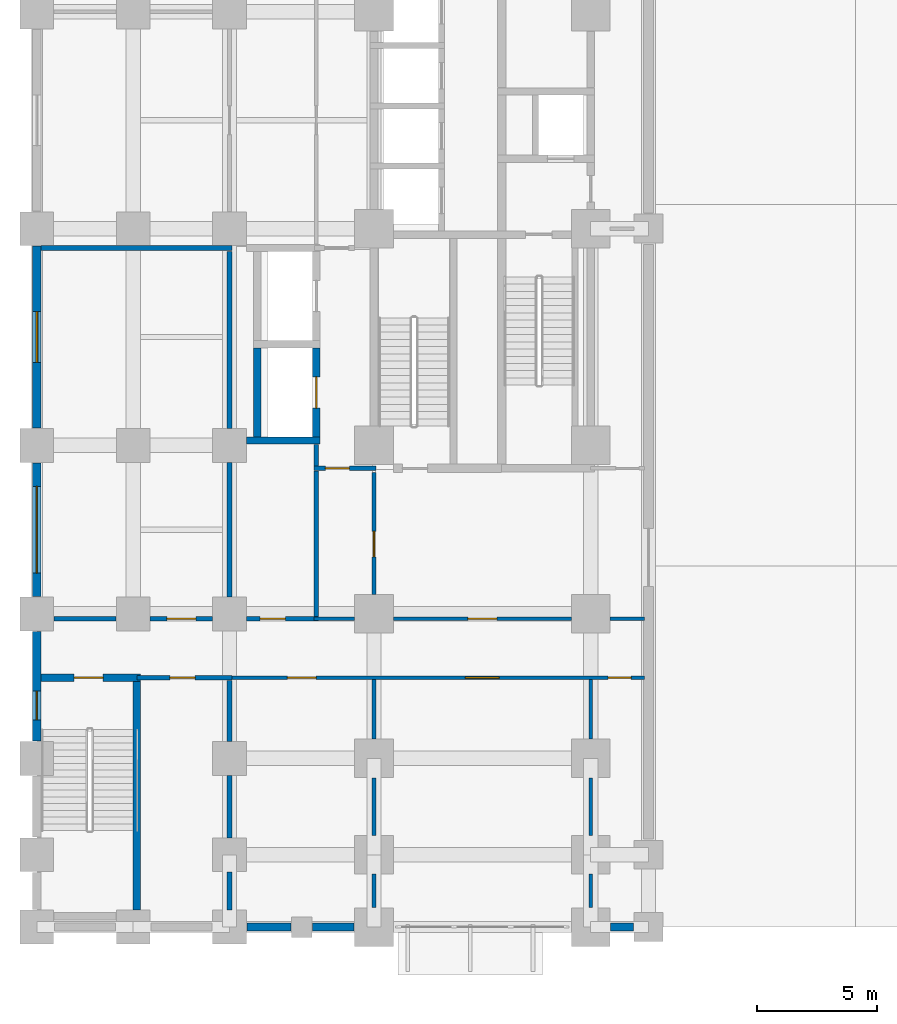
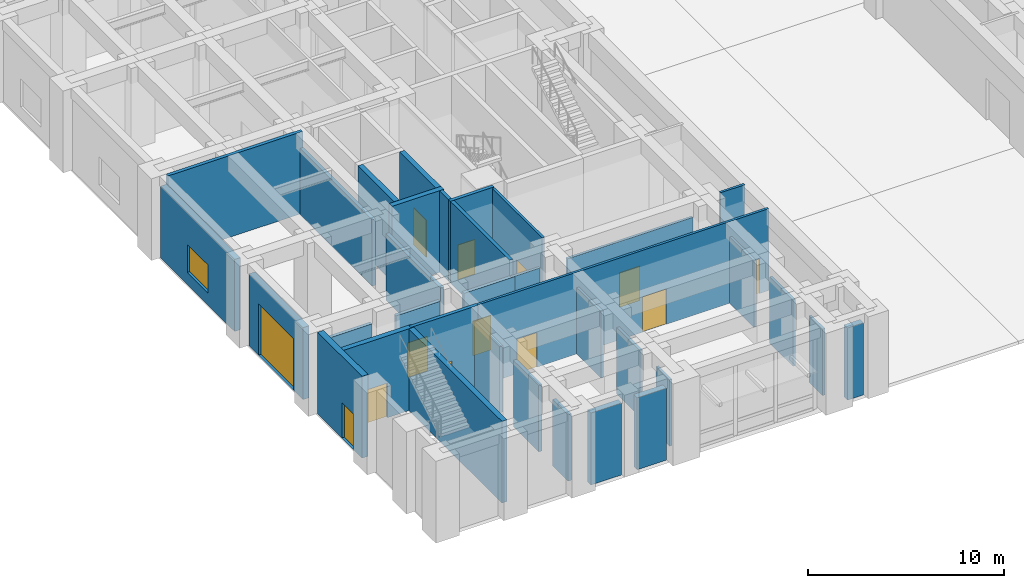
# One storey, part 6 of 20: 35 walls, 13 doors, 1 window, 14 openings.
"""IFC4 building model written with IfcOpenShell, lengths in metres."""

from ifc_helpers import new_model, si_unit, direction, frame, frame_2d, origin, place, context, subcontext, project, spatial, rectangle, extrude, material, layer, layer_set, type_object, element, fill, save


model = new_model("IFC4")

# Units and contexts
model_context = context("Model", 3, precision=1e-05, world=origin(), true_north=direction((0.0, 1.0)))
body_context = subcontext(model_context, "Body", "Model", "MODEL_VIEW")
ifc_project = project(units=[si_unit("LENGTHUNIT", "METRE"), si_unit("AREAUNIT", "SQUARE_METRE"), si_unit("VOLUMEUNIT", "CUBIC_METRE"), si_unit("PLANEANGLEUNIT", "RADIAN"), si_unit("MASSUNIT", "GRAM", prefix="KILO")], contexts=[model_context])

# Site, building, storey
site_placement = place(None, origin())
site = spatial("IfcSite", under=ifc_project, at=site_placement, CompositionType="ELEMENT")
building_placement = place(site_placement, origin())
building = spatial("IfcBuilding", under=site, at=building_placement, Name="Zulmaris Gate Convention Tower", CompositionType="ELEMENT")
storey_placement = place(building_placement, origin())
storey = spatial("IfcBuildingStorey", under=building, at=storey_placement, Name="L00", CompositionType="ELEMENT", Elevation=0.0)

# Wall, opening, door
ifc_material_1 = material(Name="Concrete C50/60", Category="concrete")
ifc_layer_1 = layer(ifc_material_1, 0.300048828125, Name="Concrete C50/60")
ifc_layer_set_1 = layer_set([ifc_layer_1], Name="Concrete C50/60")
wall_type_1 = type_object("IfcWallType", Name="CORE-300", PredefinedType="SHEAR", material=ifc_layer_set_1)
wall_1_placement = place(storey_placement, frame((-33.8349609375, -18.64990234375, 0.0), z_axis=(0.0, 0.0, 1.0), x_axis=(1.0, 0.0, 0.0)))
wall_1 = element("IfcWall", 1, at=wall_1_placement, inside=storey, type_object=wall_type_1, Name="WL-L00-003", PredefinedType="SHEAR", context=body_context, shape_type="SweptSolid", body=[
    extrude(rectangle(XDim=4.135009765625, YDim=0.300048828125, at=frame_2d((2.0673828125, 0.0))), origin(), (0.0, 0.0, 1.0), 5.08984375),
])
opening_1_placement = place(wall_1_placement, frame((1.385009765625, 0.0, 0.0)))
opening_1 = element("IfcOpeningElement", 2, at=opening_1_placement, cuts=wall_1, Name="Opening D-13", PredefinedType="OPENING", context=body_context, shape_type="SweptSolid", body=[
    extrude(rectangle(XDim=1.199951171875, YDim=2.14990234375, at=frame_2d((0.60009765625, 1.074951171875))), frame((0.0, 0.16015625, 0.0), z_axis=(0.0, -1.0, 0.0), x_axis=(1.0, 0.0, 0.0)), (0.0, 0.0, 1.0), 0.320068359375),
])
ifc_material_2 = material(Name="Fire-Rated Steel", Category="steel")
door_type_1 = type_object("IfcDoorType", Name="DR-1200-FD", OperationType="NOTDEFINED", PredefinedType="DOOR", material=ifc_material_2)
door_1_placement = place(opening_1_placement, origin())
door_1 = element("IfcDoor", 3, at=door_1_placement, inside=storey, type_object=door_type_1, Name="L00 Exit Stair ST-4 Door 27", OperationType="SINGLE_SWING_RIGHT", OverallHeight=2.14990234375, OverallWidth=1.199951171875, PredefinedType="DOOR", context=body_context, shape_type="SweptSolid", body=[
    extrude(rectangle(XDim=1.199951171875, YDim=2.14990234375, at=frame_2d((0.60009765625, 1.074951171875))), frame((0.0, 0.02490234375, 0.0), z_axis=(0.0, -1.0, 0.0), x_axis=(1.0, 0.0, 0.0)), (0.0, 0.0, 1.0), 0.050048828125),
])
fill(opening_1, door_1)

# Walls
wall_2_placement = place(storey_placement, frame((-25.2958984375, -8.800048828125, 0.0), z_axis=(0.0, 0.0, 1.0), x_axis=(1.0, 0.0, 0.0)))
element("IfcWall", 4, at=wall_2_placement, inside=storey, type_object=wall_type_1, Name="WL-L00-009", PredefinedType="SHEAR", context=body_context, shape_type="SweptSolid", body=[
    extrude(rectangle(XDim=3.0458984375, YDim=0.300048828125, at=frame_2d((1.52294921875, 0.0))), origin(), (0.0, 0.0, 1.0), 5.08984375),
])
wall_3_placement = place(storey_placement, frame((-29.85009765625, -28.2958984375, 0.0), z_axis=(0.0, 0.0, 1.0), x_axis=(0.0, 1.0, 0.0)))
element("IfcWall", 5, at=wall_3_placement, inside=storey, type_object=wall_type_1, Name="WL-L00-065", PredefinedType="SHEAR", context=body_context, shape_type="SweptSolid", body=[
    extrude(rectangle(XDim=9.493896484375, YDim=0.300048828125, at=frame_2d((4.7470703125, 0.0))), origin(), (0.0, 0.0, 1.0), 5.08984375),
])
wall_4_placement = place(storey_placement, frame((-24.85009765625, -8.64794921875, 0.0), z_axis=(0.0, 0.0, 1.0), x_axis=(0.0, 1.0, 0.0)))
element("IfcWall", 6, at=wall_4_placement, inside=storey, type_object=wall_type_1, Name="WL-L00-066", PredefinedType="SHEAR", context=body_context, shape_type="SweptSolid", body=[
    extrude(rectangle(XDim=3.696044921875, YDim=0.300048828125, at=frame_2d((1.84814453125, 0.0))), origin(), (0.0, 0.0, 1.0), 5.08984375),
])

# Wall, opening, door
wall_5_placement = place(storey_placement, frame((-22.39990234375, -8.64794921875, 0.0), z_axis=(0.0, 0.0, 1.0), x_axis=(0.0, 1.0, 0.0)))
wall_5 = element("IfcWall", 7, at=wall_5_placement, inside=storey, type_object=wall_type_1, Name="WL-L00-068", PredefinedType="SHEAR", context=body_context, shape_type="SweptSolid", body=[
    extrude(rectangle(XDim=3.696044921875, YDim=0.300048828125, at=frame_2d((1.84814453125, 0.0))), origin(), (0.0, 0.0, 1.0), 5.08984375),
])
opening_2_placement = place(wall_5_placement, frame((1.197998046875, 0.0, 0.0)))
opening_2 = element("IfcOpeningElement", 8, at=opening_2_placement, cuts=wall_5, Name="Opening D-07", PredefinedType="OPENING", context=body_context, shape_type="SweptSolid", body=[
    extrude(rectangle(XDim=1.300048828125, YDim=2.300048828125, at=frame_2d((0.64990234375, 1.14990234375))), frame((0.0, 0.16015625, 0.0), z_axis=(0.0, -1.0, 0.0), x_axis=(1.0, 0.0, 0.0)), (0.0, 0.0, 1.0), 0.320068359375),
])
ifc_material_3 = material(Name="Heavy-Duty Brushed Stainless Steel", Category="steel")
door_type_2 = type_object("IfcDoorType", Name="LD-1300", OperationType="NOTDEFINED", PredefinedType="DOOR", material=ifc_material_3)
door_2_placement = place(opening_2_placement, origin())
door_2 = element("IfcDoor", 9, at=door_2_placement, inside=storey, type_object=door_type_2, Name="L00 Goods Lift Door GL-01 24", OperationType="SLIDING_TO_LEFT", OverallHeight=2.300048828125, OverallWidth=1.300048828125, PredefinedType="DOOR", context=body_context, shape_type="SweptSolid", body=[
    extrude(rectangle(XDim=1.300048828125, YDim=2.300048828125, at=frame_2d((0.64990234375, 1.14990234375))), frame((0.0, 0.02490234375, 0.0), z_axis=(0.0, -1.0, 0.0), x_axis=(1.0, 0.0, 0.0)), (0.0, 0.0, 1.0), 0.050048828125),
])
fill(opening_2, door_2)

# Wall, openings, doors
ifc_material_4 = material(Name="Gypsum Metal Stud Partition")
ifc_layer_2 = layer(ifc_material_4, 0.14990234375, Name="Gypsum Metal Stud Partition")
ifc_layer_set_2 = layer_set([ifc_layer_2], Name="Gypsum Metal Stud Partition")
wall_type_2 = type_object("IfcWallType", Name="PART-150", PredefinedType="PARTITIONING", material=ifc_layer_set_2)
wall_6_placement = place(storey_placement, frame((-26.10009765625, -18.64990234375, 0.0), z_axis=(0.0, 0.0, 1.0), x_axis=(1.0, 0.0, 0.0)))
wall_6 = element("IfcWall", 10, at=wall_6_placement, inside=storey, type_object=wall_type_2, Name="WL-L00-032", PredefinedType="PARTITIONING", context=body_context, shape_type="SweptSolid", body=[
    extrude(rectangle(XDim=17.335205078125, YDim=0.14990234375, at=frame_2d((8.66748046875, 0.0))), origin(), (0.0, 0.0, 1.0), 5.08984375),
])
opening_3_placement = place(wall_6_placement, frame((2.5, 0.0, 0.0)))
opening_3 = element("IfcOpeningElement", 11, at=opening_3_placement, cuts=wall_6, Name="Opening D-13", PredefinedType="OPENING", context=body_context, shape_type="SweptSolid", body=[
    extrude(rectangle(XDim=1.199951171875, YDim=2.14990234375, at=frame_2d((0.60009765625, 1.074951171875))), frame((0.0, 0.0849609375, 0.0), z_axis=(0.0, -1.0, 0.0), x_axis=(1.0, 0.0, 0.0)), (0.0, 0.0, 1.0), 0.169921875),
])
opening_4_placement = place(wall_6_placement, frame((9.89990234375, 0.0, 0.0)))
opening_4 = element("IfcOpeningElement", 12, at=opening_4_placement, cuts=wall_6, Name="Opening D-14", PredefinedType="OPENING", context=body_context, shape_type="SweptSolid", body=[
    extrude(rectangle(XDim=1.39990234375, YDim=2.199951171875, at=frame_2d((0.699951171875, 1.10009765625))), frame((0.0, 0.0849609375, 0.0), z_axis=(0.0, -1.0, 0.0), x_axis=(1.0, 0.0, 0.0)), (0.0, 0.0, 1.0), 0.169921875),
])
opening_5_placement = place(wall_6_placement, frame((15.824951171875, 0.0, 0.0)))
opening_5 = element("IfcOpeningElement", 13, at=opening_5_placement, cuts=wall_6, Name="Opening D-11", PredefinedType="OPENING", context=body_context, shape_type="SweptSolid", body=[
    extrude(rectangle(XDim=0.949951171875, YDim=2.14990234375, at=frame_2d((0.47509765625, 1.074951171875))), frame((0.0, 0.0849609375, 0.0), z_axis=(0.0, -1.0, 0.0), x_axis=(1.0, 0.0, 0.0)), (0.0, 0.0, 1.0), 0.169921875),
])
door_3_placement = place(opening_3_placement, origin())
door_3 = element("IfcDoor", 14, at=door_3_placement, inside=storey, type_object=door_type_1, Name="L00 Accreditation Foyer Door 53", OperationType="SINGLE_SWING_RIGHT", OverallHeight=2.14990234375, OverallWidth=1.199951171875, PredefinedType="DOOR", context=body_context, shape_type="SweptSolid", body=[
    extrude(rectangle(XDim=1.199951171875, YDim=2.14990234375, at=frame_2d((0.60009765625, 1.074951171875))), frame((0.0, 0.02490234375, 0.0), z_axis=(0.0, -1.0, 0.0), x_axis=(1.0, 0.0, 0.0)), (0.0, 0.0, 1.0), 0.050048828125),
])
fill(opening_3, door_3)
ifc_material_5 = material(Name="Fire-Rated Glazed Steel", Category="steel")
door_type_3 = type_object("IfcDoorType", Name="DR-1400-FD", OperationType="NOTDEFINED", PredefinedType="DOOR", material=ifc_material_5)
door_4_placement = place(opening_4_placement, origin())
door_4 = element("IfcDoor", 15, at=door_4_placement, inside=storey, type_object=door_type_3, Name="L00 Registration Foyer Door 54", OperationType="SINGLE_SWING_LEFT", OverallHeight=2.199951171875, OverallWidth=1.39990234375, PredefinedType="DOOR", context=body_context, shape_type="SweptSolid", body=[
    extrude(rectangle(XDim=1.39990234375, YDim=2.199951171875, at=frame_2d((0.699951171875, 1.10009765625))), frame((0.0, 0.02490234375, 0.0), z_axis=(0.0, -1.0, 0.0), x_axis=(1.0, 0.0, 0.0)), (0.0, 0.0, 1.0), 0.050048828125),
])
fill(opening_4, door_4)
ifc_material_6 = material(Name="Fire-Rated Timber", Category="wood")
door_type_4 = type_object("IfcDoorType", Name="DR-950-FD", OperationType="NOTDEFINED", PredefinedType="DOOR", material=ifc_material_6)
door_5_placement = place(opening_5_placement, origin())
door_5 = element("IfcDoor", 16, at=door_5_placement, inside=storey, type_object=door_type_4, Name="L00 West Baggage Store Door 55", OperationType="SINGLE_SWING_RIGHT", OverallHeight=2.14990234375, OverallWidth=0.949951171875, PredefinedType="DOOR", context=body_context, shape_type="SweptSolid", body=[
    extrude(rectangle(XDim=0.949951171875, YDim=2.14990234375, at=frame_2d((0.47509765625, 1.074951171875))), frame((0.0, 0.02490234375, 0.0), z_axis=(0.0, -1.0, 0.0), x_axis=(1.0, 0.0, 0.0)), (0.0, 0.0, 1.0), 0.050048828125),
])
fill(opening_5, door_5)

# Wall
wall_7_placement = place(storey_placement, frame((-22.5, -16.199951171875, 0.0), z_axis=(0.0, 0.0, 1.0), x_axis=(1.0, 0.0, 0.0)))
element("IfcWall", 17, at=wall_7_placement, inside=storey, type_object=wall_type_2, Name="WL-L00-035", PredefinedType="PARTITIONING", context=body_context, shape_type="SweptSolid", body=[
    extrude(rectangle(XDim=1.694091796875, YDim=0.14990234375, at=frame_2d((0.84716796875, 0.0))), origin(), (0.0, 0.0, 1.0), 4.1318359375),
])

# Wall, opening, door
wall_8_placement = place(storey_placement, frame((-19.194091796875, -16.199951171875, 0.0), z_axis=(0.0, 0.0, 1.0), x_axis=(1.0, 0.0, 0.0)))
wall_8 = element("IfcWall", 18, at=wall_8_placement, inside=storey, type_object=wall_type_2, Name="WL-L00-035S1", PredefinedType="PARTITIONING", context=body_context, shape_type="SweptSolid", body=[
    extrude(rectangle(XDim=7.38818359375, YDim=0.14990234375, at=frame_2d((3.694091796875, 0.0))), origin(), (0.0, 0.0, 1.0), 4.1318359375),
])
opening_6_placement = place(wall_8_placement, frame((3.093994140625, 0.0, 0.0)))
opening_6 = element("IfcOpeningElement", 19, at=opening_6_placement, cuts=wall_8, Name="Opening D-13", PredefinedType="OPENING", context=body_context, shape_type="SweptSolid", body=[
    extrude(rectangle(XDim=1.199951171875, YDim=2.14990234375, at=frame_2d((0.60009765625, 1.074951171875))), frame((0.0, 0.0849609375, 0.0), z_axis=(0.0, -1.0, 0.0), x_axis=(1.0, 0.0, 0.0)), (0.0, 0.0, 1.0), 0.169921875),
])
door_6_placement = place(opening_6_placement, origin())
door_6 = element("IfcDoor", 20, at=door_6_placement, inside=storey, type_object=door_type_1, Name="L00 SW Stair Link Door 45", OperationType="SINGLE_SWING_RIGHT", OverallHeight=2.14990234375, OverallWidth=1.199951171875, PredefinedType="DOOR", context=body_context, shape_type="SweptSolid", body=[
    extrude(rectangle(XDim=1.199951171875, YDim=2.14990234375, at=frame_2d((0.60009765625, 1.074951171875))), frame((0.0, 0.02490234375, 0.0), z_axis=(0.0, -1.0, 0.0), x_axis=(1.0, 0.0, 0.0)), (0.0, 0.0, 1.0), 0.050048828125),
])
fill(opening_6, door_6)

# Walls
wall_9_placement = place(storey_placement, frame((-10.194091796875, -16.199951171875, 0.0), z_axis=(0.0, 0.0, 1.0), x_axis=(1.0, 0.0, 0.0)))
element("IfcWall", 21, at=wall_9_placement, inside=storey, type_object=wall_type_2, Name="WL-L00-035S2", PredefinedType="PARTITIONING", context=body_context, shape_type="SweptSolid", body=[
    extrude(rectangle(XDim=1.42919921875, YDim=0.14990234375, at=frame_2d((0.714599609375, 0.0))), origin(), (0.0, 0.0, 1.0), 5.08984375),
])
wall_10_placement = place(storey_placement, frame((-20.0, -28.194091796875, 0.0), z_axis=(0.0, 0.0, 1.0), x_axis=(0.0, 1.0, 0.0)))
element("IfcWall", 22, at=wall_10_placement, inside=storey, type_object=wall_type_2, Name="WL-L00-117", PredefinedType="PARTITIONING", context=body_context, shape_type="SweptSolid", body=[
    extrude(rectangle(XDim=1.38818359375, YDim=0.14990234375, at=frame_2d((0.694091796875, 0.0))), origin(), (0.0, 0.0, 1.0), 4.1318359375),
])
wall_11_placement = place(storey_placement, frame((-20.0, -25.194091796875, 0.0), z_axis=(0.0, 0.0, 1.0), x_axis=(0.0, 1.0, 0.0)))
element("IfcWall", 23, at=wall_11_placement, inside=storey, type_object=wall_type_2, Name="WL-L00-117S1", PredefinedType="PARTITIONING", context=body_context, shape_type="SweptSolid", body=[
    extrude(rectangle(XDim=2.38818359375, YDim=0.14990234375, at=frame_2d((1.194091796875, 0.0))), origin(), (0.0, 0.0, 1.0), 4.1318359375),
])
wall_12_placement = place(storey_placement, frame((-20.0, -21.194091796875, 0.0), z_axis=(0.0, 0.0, 1.0), x_axis=(0.0, 1.0, 0.0)))
element("IfcWall", 24, at=wall_12_placement, inside=storey, type_object=wall_type_2, Name="WL-L00-117S2", PredefinedType="PARTITIONING", context=body_context, shape_type="SweptSolid", body=[
    extrude(rectangle(XDim=2.466064453125, YDim=0.14990234375, at=frame_2d((1.23291015625, 0.0))), origin(), (0.0, 0.0, 1.0), 4.1318359375),
])

# Wall, opening, door
wall_13_placement = place(storey_placement, frame((-20.0, -15.194091796875, 0.0), z_axis=(0.0, 0.0, 1.0), x_axis=(0.0, 1.0, 0.0)))
wall_13 = element("IfcWall", 25, at=wall_13_placement, inside=storey, type_object=wall_type_2, Name="WL-L00-118", PredefinedType="PARTITIONING", context=body_context, shape_type="SweptSolid", body=[
    extrude(rectangle(XDim=5.066162109375, YDim=0.14990234375, at=frame_2d((2.533203125, 0.0))), origin(), (0.0, 0.0, 1.0), 5.08984375),
])
opening_7_placement = place(wall_13_placement, frame((1.569091796875, 0.0, 0.0)))
opening_7 = element("IfcOpeningElement", 26, at=opening_7_placement, cuts=wall_13, Name="Opening D-09", PredefinedType="OPENING", context=body_context, shape_type="SweptSolid", body=[
    extrude(rectangle(XDim=1.050048828125, YDim=2.14990234375, at=frame_2d((0.52490234375, 1.074951171875))), frame((0.0, 0.0849609375, 0.0), z_axis=(0.0, -1.0, 0.0), x_axis=(1.0, 0.0, 0.0)), (0.0, 0.0, 1.0), 0.169921875),
])
door_type_5 = type_object("IfcDoorType", Name="DR-1050-FD", OperationType="NOTDEFINED", PredefinedType="DOOR", material=ifc_material_2)
door_7_placement = place(opening_7_placement, origin())
door_7 = element("IfcDoor", 27, at=door_7_placement, inside=storey, type_object=door_type_5, Name="L00 SW Goods Passage Link Door 33", OperationType="SINGLE_SWING_RIGHT", OverallHeight=2.14990234375, OverallWidth=1.050048828125, PredefinedType="DOOR", context=body_context, shape_type="SweptSolid", body=[
    extrude(rectangle(XDim=1.050048828125, YDim=2.14990234375, at=frame_2d((0.52490234375, 1.074951171875))), frame((0.0, 0.02490234375, 0.0), z_axis=(0.0, -1.0, 0.0), x_axis=(1.0, 0.0, 0.0)), (0.0, 0.0, 1.0), 0.050048828125),
])
fill(opening_7, door_7)

# Walls
wall_14_placement = place(storey_placement, frame((-11.0, -28.194091796875, 0.0), z_axis=(0.0, 0.0, 1.0), x_axis=(0.0, 1.0, 0.0)))
element("IfcWall", 28, at=wall_14_placement, inside=storey, type_object=wall_type_2, Name="WL-L00-122", PredefinedType="PARTITIONING", context=body_context, shape_type="SweptSolid", body=[
    extrude(rectangle(XDim=1.38818359375, YDim=0.14990234375, at=frame_2d((0.694091796875, 0.0))), origin(), (0.0, 0.0, 1.0), 4.1318359375),
])
wall_15_placement = place(storey_placement, frame((-11.0, -25.194091796875, 0.0), z_axis=(0.0, 0.0, 1.0), x_axis=(0.0, 1.0, 0.0)))
element("IfcWall", 29, at=wall_15_placement, inside=storey, type_object=wall_type_2, Name="WL-L00-122S1", PredefinedType="PARTITIONING", context=body_context, shape_type="SweptSolid", body=[
    extrude(rectangle(XDim=2.38818359375, YDim=0.14990234375, at=frame_2d((1.194091796875, 0.0))), origin(), (0.0, 0.0, 1.0), 4.1318359375),
])
wall_16_placement = place(storey_placement, frame((-11.0, -21.194091796875, 0.0), z_axis=(0.0, 0.0, 1.0), x_axis=(0.0, 1.0, 0.0)))
element("IfcWall", 30, at=wall_16_placement, inside=storey, type_object=wall_type_2, Name="WL-L00-122S2", PredefinedType="PARTITIONING", context=body_context, shape_type="SweptSolid", body=[
    extrude(rectangle(XDim=2.466064453125, YDim=0.14990234375, at=frame_2d((1.23291015625, 0.0))), origin(), (0.0, 0.0, 1.0), 4.1318359375),
])

# Wall, opening, door
ifc_material_7 = material(Name="Autoclaved Aerated Concrete Block and Plasterboard", Category="concrete")
ifc_layer_3 = layer(ifc_material_7, 0.199951171875, Name="Autoclaved Aerated Concrete Block and Plasterboard")
ifc_layer_set_3 = layer_set([ifc_layer_3], Name="Autoclaved Aerated Concrete Block and Plasterboard")
wall_type_3 = type_object("IfcWallType", Name="PART-200", PredefinedType="PARTITIONING", material=ifc_layer_set_3)
wall_17_placement = place(storey_placement, frame((-29.85009765625, -18.64990234375, 0.0), z_axis=(0.0, 0.0, 1.0), x_axis=(1.0, 0.0, 0.0)))
wall_17 = element("IfcWall", 31, at=wall_17_placement, inside=storey, type_object=wall_type_3, Name="WL-L00-031", PredefinedType="PARTITIONING", context=body_context, shape_type="SweptSolid", body=[
    extrude(rectangle(XDim=3.9501953125, YDim=0.199951171875, at=frame_2d((1.97509765625, 0.0))), origin(), (0.0, 0.0, 1.0), 5.08984375),
])
opening_8_placement = place(wall_17_placement, frame((1.375, 0.0, 0.0)))
opening_8 = element("IfcOpeningElement", 32, at=opening_8_placement, cuts=wall_17, Name="Opening D-09", PredefinedType="OPENING", context=body_context, shape_type="SweptSolid", body=[
    extrude(rectangle(XDim=1.050048828125, YDim=2.14990234375, at=frame_2d((0.52490234375, 1.074951171875))), frame((0.0, 0.10986328125, 0.0), z_axis=(0.0, -1.0, 0.0), x_axis=(1.0, 0.0, 0.0)), (0.0, 0.0, 1.0), 0.219970703125),
])
door_8_placement = place(opening_8_placement, origin())
door_8 = element("IfcDoor", 33, at=door_8_placement, inside=storey, type_object=door_type_5, Name="L00 Fire Command Centre Door 52", OperationType="SINGLE_SWING_LEFT", OverallHeight=2.14990234375, OverallWidth=1.050048828125, PredefinedType="DOOR", context=body_context, shape_type="SweptSolid", body=[
    extrude(rectangle(XDim=1.050048828125, YDim=2.14990234375, at=frame_2d((0.52490234375, 1.074951171875))), frame((0.0, 0.02490234375, 0.0), z_axis=(0.0, -1.0, 0.0), x_axis=(1.0, 0.0, 0.0)), (0.0, 0.0, 1.0), 0.050048828125),
])
fill(opening_8, door_8)

# Wall
wall_18_placement = place(storey_placement, frame((-33.2939453125, -16.199951171875, 0.0), z_axis=(0.0, 0.0, 1.0), x_axis=(1.0, 0.0, 0.0)))
element("IfcWall", 34, at=wall_18_placement, inside=storey, type_object=wall_type_3, Name="WL-L00-034", PredefinedType="PARTITIONING", context=body_context, shape_type="SweptSolid", body=[
    extrude(rectangle(XDim=2.587890625, YDim=0.199951171875, at=frame_2d((1.2939453125, 0.0))), origin(), (0.0, 0.0, 1.0), 4.1318359375),
])

# Wall, opening, door
wall_19_placement = place(storey_placement, frame((-29.2939453125, -16.199951171875, 0.0), z_axis=(0.0, 0.0, 1.0), x_axis=(1.0, 0.0, 0.0)))
wall_19 = element("IfcWall", 35, at=wall_19_placement, inside=storey, type_object=wall_type_3, Name="WL-L00-034S1", PredefinedType="PARTITIONING", context=body_context, shape_type="SweptSolid", body=[
    extrude(rectangle(XDim=2.587890625, YDim=0.199951171875, at=frame_2d((1.2939453125, 0.0))), origin(), (0.0, 0.0, 1.0), 4.1318359375),
])
opening_9_placement = place(wall_19_placement, frame((0.694091796875, 0.0, 0.0)))
opening_9 = element("IfcOpeningElement", 36, at=opening_9_placement, cuts=wall_19, Name="Opening D-13", PredefinedType="OPENING", context=body_context, shape_type="SweptSolid", body=[
    extrude(rectangle(XDim=1.199951171875, YDim=2.14990234375, at=frame_2d((0.60009765625, 1.074951171875))), frame((0.0, 0.10986328125, 0.0), z_axis=(0.0, -1.0, 0.0), x_axis=(1.0, 0.0, 0.0)), (0.0, 0.0, 1.0), 0.219970703125),
])
door_9_placement = place(opening_9_placement, origin())
door_9 = element("IfcDoor", 37, at=door_9_placement, inside=storey, type_object=door_type_1, Name="L00 Loading Dock Door 56", OperationType="SINGLE_SWING_LEFT", OverallHeight=2.14990234375, OverallWidth=1.199951171875, PredefinedType="DOOR", context=body_context, shape_type="SweptSolid", body=[
    extrude(rectangle(XDim=1.199951171875, YDim=2.14990234375, at=frame_2d((0.60009765625, 1.074951171875))), frame((0.0, 0.02490234375, 0.0), z_axis=(0.0, -1.0, 0.0), x_axis=(1.0, 0.0, 0.0)), (0.0, 0.0, 1.0), 0.050048828125),
])
fill(opening_9, door_9)

wall_20_placement = place(storey_placement, frame((-25.2939453125, -16.199951171875, 0.0), z_axis=(0.0, 0.0, 1.0), x_axis=(1.0, 0.0, 0.0)))
wall_20 = element("IfcWall", 38, at=wall_20_placement, inside=storey, type_object=wall_type_3, Name="WL-L00-034S2", PredefinedType="PARTITIONING", context=body_context, shape_type="SweptSolid", body=[
    extrude(rectangle(XDim=2.993896484375, YDim=0.199951171875, at=frame_2d((1.4970703125, 0.0))), origin(), (0.0, 0.0, 1.0), 4.1318359375),
])
opening_10_placement = place(wall_20_placement, frame((0.569091796875, 0.0, 0.0)))
opening_10 = element("IfcOpeningElement", 39, at=opening_10_placement, cuts=wall_20, Name="Opening D-09", PredefinedType="OPENING", context=body_context, shape_type="SweptSolid", body=[
    extrude(rectangle(XDim=1.050048828125, YDim=2.14990234375, at=frame_2d((0.52490234375, 1.074951171875))), frame((0.0, 0.10986328125, 0.0), z_axis=(0.0, -1.0, 0.0), x_axis=(1.0, 0.0, 0.0)), (0.0, 0.0, 1.0), 0.219970703125),
])
door_10_placement = place(opening_10_placement, origin())
door_10 = element("IfcDoor", 40, at=door_10_placement, inside=storey, type_object=door_type_5, Name="L00 Marshalling Store Door 57", OperationType="SINGLE_SWING_RIGHT", OverallHeight=2.14990234375, OverallWidth=1.050048828125, PredefinedType="DOOR", context=body_context, shape_type="SweptSolid", body=[
    extrude(rectangle(XDim=1.050048828125, YDim=2.14990234375, at=frame_2d((0.52490234375, 1.074951171875))), frame((0.0, 0.02490234375, 0.0), z_axis=(0.0, -1.0, 0.0), x_axis=(1.0, 0.0, 0.0)), (0.0, 0.0, 1.0), 0.050048828125),
])
fill(opening_10, door_10)

wall_21_placement = place(storey_placement, frame((-22.5, -9.949951171875, 0.0), z_axis=(0.0, 0.0, 1.0), x_axis=(1.0, 0.0, 0.0)))
wall_21 = element("IfcWall", 41, at=wall_21_placement, inside=storey, type_object=wall_type_3, Name="WL-L00-037", PredefinedType="PARTITIONING", context=body_context, shape_type="SweptSolid", body=[
    extrude(rectangle(XDim=2.574951171875, YDim=0.199951171875, at=frame_2d((1.28759765625, 0.0))), origin(), (0.0, 0.0, 1.0), 5.08984375),
])
opening_11_placement = place(wall_21_placement, frame((0.47998046875, 0.0, 0.0)))
opening_11 = element("IfcOpeningElement", 42, at=opening_11_placement, cuts=wall_21, Name="Opening D-10", PredefinedType="OPENING", context=body_context, shape_type="SweptSolid", body=[
    extrude(rectangle(XDim=1.0, YDim=2.14990234375, at=frame_2d((0.5, 1.074951171875))), frame((0.0, 0.10986328125, 0.0), z_axis=(0.0, -1.0, 0.0), x_axis=(1.0, 0.0, 0.0)), (0.0, 0.0, 1.0), 0.219970703125),
])
door_type_6 = type_object("IfcDoorType", Name="DR-1000-FD", OperationType="NOTDEFINED", PredefinedType="DOOR", material=ifc_material_6)
door_11_placement = place(opening_11_placement, origin())
door_11 = element("IfcDoor", 43, at=door_11_placement, inside=storey, type_object=door_type_6, Name="L00 Goods Lobby South Door 32", OperationType="SINGLE_SWING_LEFT", OverallHeight=2.14990234375, OverallWidth=1.0, PredefinedType="DOOR", context=body_context, shape_type="SweptSolid", body=[
    extrude(rectangle(XDim=1.0, YDim=2.14990234375, at=frame_2d((0.5, 1.074951171875))), frame((0.0, 0.02490234375, 0.0), z_axis=(0.0, -1.0, 0.0), x_axis=(1.0, 0.0, 0.0)), (0.0, 0.0, 1.0), 0.050048828125),
])
fill(opening_11, door_11)

# Walls
wall_22_placement = place(storey_placement, frame((-33.8349609375, -0.800048828125, 0.0), z_axis=(0.0, 0.0, 1.0), x_axis=(1.0, 0.0, 0.0)))
element("IfcWall", 44, at=wall_22_placement, inside=storey, type_object=wall_type_3, Name="WL-L00-042", PredefinedType="PARTITIONING", context=body_context, shape_type="SweptSolid", body=[
    extrude(rectangle(XDim=7.93505859375, YDim=0.199951171875, at=frame_2d((3.967529296875, 0.0))), origin(), (0.0, 0.0, 1.0), 5.08984375),
])
wall_23_placement = place(storey_placement, frame((-26.0, -28.2939453125, 0.0), z_axis=(0.0, 0.0, 1.0), x_axis=(0.0, 1.0, 0.0)))
element("IfcWall", 45, at=wall_23_placement, inside=storey, type_object=wall_type_3, Name="WL-L00-108", PredefinedType="PARTITIONING", context=body_context, shape_type="SweptSolid", body=[
    extrude(rectangle(XDim=1.587890625, YDim=0.199951171875, at=frame_2d((0.7939453125, 0.0))), origin(), (0.0, 0.0, 1.0), 4.1318359375),
])
wall_24_placement = place(storey_placement, frame((-26.0, -25.2939453125, 0.0), z_axis=(0.0, 0.0, 1.0), x_axis=(0.0, 1.0, 0.0)))
element("IfcWall", 46, at=wall_24_placement, inside=storey, type_object=wall_type_3, Name="WL-L00-108S1", PredefinedType="PARTITIONING", context=body_context, shape_type="SweptSolid", body=[
    extrude(rectangle(XDim=2.587890625, YDim=0.199951171875, at=frame_2d((1.2939453125, 0.0))), origin(), (0.0, 0.0, 1.0), 4.1318359375),
])
wall_25_placement = place(storey_placement, frame((-26.0, -21.2939453125, 0.0), z_axis=(0.0, 0.0, 1.0), x_axis=(0.0, 1.0, 0.0)))
element("IfcWall", 47, at=wall_25_placement, inside=storey, type_object=wall_type_3, Name="WL-L00-108S2", PredefinedType="PARTITIONING", context=body_context, shape_type="SweptSolid", body=[
    extrude(rectangle(XDim=2.541015625, YDim=0.199951171875, at=frame_2d((1.2705078125, 0.0))), origin(), (0.0, 0.0, 1.0), 4.1318359375),
])
wall_26_placement = place(storey_placement, frame((-26.0, -15.2939453125, 0.0), z_axis=(0.0, 0.0, 1.0), x_axis=(0.0, 1.0, 0.0)))
element("IfcWall", 48, at=wall_26_placement, inside=storey, type_object=wall_type_3, Name="WL-L00-109", PredefinedType="PARTITIONING", context=body_context, shape_type="SweptSolid", body=[
    extrude(rectangle(XDim=5.587890625, YDim=0.199951171875, at=frame_2d((2.7939453125, 0.0))), origin(), (0.0, 0.0, 1.0), 4.1318359375),
])
wall_27_placement = place(storey_placement, frame((-26.0, -8.2939453125, 0.0), z_axis=(0.0, 0.0, 1.0), x_axis=(0.0, 1.0, 0.0)))
element("IfcWall", 49, at=wall_27_placement, inside=storey, type_object=wall_type_3, Name="WL-L00-110", PredefinedType="PARTITIONING", context=body_context, shape_type="SweptSolid", body=[
    extrude(rectangle(XDim=7.341064453125, YDim=0.199951171875, at=frame_2d((3.67041015625, 0.0))), origin(), (0.0, 0.0, 1.0), 4.1318359375),
])
wall_28_placement = place(storey_placement, frame((-22.39990234375, -16.096923828125, 0.0), z_axis=(0.0, 0.0, 1.0), x_axis=(0.0, 1.0, 0.0)))
element("IfcWall", 50, at=wall_28_placement, inside=storey, type_object=wall_type_3, Name="WL-L00-113", PredefinedType="PARTITIONING", context=body_context, shape_type="SweptSolid", body=[
    extrude(rectangle(XDim=6.0439453125, YDim=0.199951171875, at=frame_2d((3.02197265625, 0.0))), origin(), (0.0, 0.0, 1.0), 5.08984375),
])
wall_29_placement = place(storey_placement, frame((-22.39990234375, -9.846923828125, 0.0), z_axis=(0.0, 0.0, 1.0), x_axis=(0.0, 1.0, 0.0)))
element("IfcWall", 51, at=wall_29_placement, inside=storey, type_object=wall_type_3, Name="WL-L00-114", PredefinedType="PARTITIONING", context=body_context, shape_type="SweptSolid", body=[
    extrude(rectangle(XDim=0.89404296875, YDim=0.199951171875, at=frame_2d((0.447021484375, 0.0))), origin(), (0.0, 0.0, 1.0), 5.08984375),
])
ifc_material_8 = material(Name="Precast concrete C45/55", Category="concrete")
ifc_layer_4 = layer(ifc_material_8, 0.35009765625, Name="Precast concrete C45/55")
ifc_layer_set_4 = layer_set([ifc_layer_4], Name="Precast concrete C45/55")
wall_type_4 = type_object("IfcWallType", Name="PRECAST-POD-350", PredefinedType="STANDARD", material=ifc_layer_set_4)
wall_30_placement = place(storey_placement, frame((-25.27001953125, -29.0, 0.0), z_axis=(0.0, 0.0, 1.0), x_axis=(1.0, 0.0, 0.0)))
element("IfcWall", 52, at=wall_30_placement, inside=storey, type_object=wall_type_4, Name="EW-L00-S--260_0", PredefinedType="STANDARD", context=body_context, shape_type="SweptSolid", body=[
    extrude(rectangle(XDim=1.81494140625, YDim=0.35009765625, at=frame_2d((0.907470703125, 0.0))), origin(), (0.0, 0.0, 1.0), 4.48193359375),
])
wall_31_placement = place(storey_placement, frame((-22.544921875, -29.0, 0.0), z_axis=(0.0, 0.0, 1.0), x_axis=(1.0, 0.0, 0.0)))
element("IfcWall", 53, at=wall_31_placement, inside=storey, type_object=wall_type_4, Name="EW-L00-S--230_0", PredefinedType="STANDARD", context=body_context, shape_type="SweptSolid", body=[
    extrude(rectangle(XDim=1.71484375, YDim=0.35009765625, at=frame_2d((0.857421875, 0.0))), origin(), (0.0, 0.0, 1.0), 4.48193359375),
])
wall_32_placement = place(storey_placement, frame((-10.169921875, -29.0, 0.0), z_axis=(0.0, 0.0, 1.0), x_axis=(1.0, 0.0, 0.0)))
element("IfcWall", 54, at=wall_32_placement, inside=storey, type_object=wall_type_4, Name="EW-L00-S--110_0", PredefinedType="STANDARD", context=body_context, shape_type="SweptSolid", body=[
    extrude(rectangle(XDim=0.93994140625, YDim=0.35009765625, at=frame_2d((0.469970703125, 0.0))), origin(), (0.0, 0.0, 1.0), 4.48193359375),
])

# Wall, opening, door
wall_33_placement = place(storey_placement, frame((-34.0, -21.27001953125, 0.0), z_axis=(0.0, 0.0, 1.0), x_axis=(0.0, 1.0, 0.0)))
wall_33 = element("IfcWall", 55, at=wall_33_placement, inside=storey, type_object=wall_type_4, Name="EW-L00-W--22_0", PredefinedType="STANDARD", context=body_context, shape_type="SweptSolid", body=[
    extrude(rectangle(XDim=4.5400390625, YDim=0.35009765625, at=frame_2d((2.27001953125, 0.0))), origin(), (0.0, 0.0, 1.0), 5.08984375),
])
opening_12_placement = place(wall_33_placement, frame((0.8701171875, 0.0, 0.0)))
opening_12 = element("IfcOpeningElement", 56, at=opening_12_placement, cuts=wall_33, Name="Opening D-03", PredefinedType="OPENING", context=body_context, shape_type="SweptSolid", body=[
    extrude(rectangle(XDim=1.199951171875, YDim=2.199951171875, at=frame_2d((0.60009765625, 1.10009765625))), frame((0.0, 0.18505859375, 0.0), z_axis=(0.0, -1.0, 0.0), x_axis=(1.0, 0.0, 0.0)), (0.0, 0.0, 1.0), 0.3701171875),
])
ifc_material_9 = material(Name="Powder-Coated Steel", Category="steel")
door_type_7 = type_object("IfcDoorType", Name="ED-1200", OperationType="SINGLE_SWING_LEFT", PredefinedType="DOOR", material=ifc_material_9)
door_12_placement = place(opening_12_placement, origin())
door_12 = element("IfcDoor", 57, at=door_12_placement, inside=storey, type_object=door_type_7, Name="Exit Stair ST-4 Street Discharge Door", OperationType="SINGLE_SWING_LEFT", OverallHeight=2.199951171875, OverallWidth=1.199951171875, PredefinedType="DOOR", context=body_context, shape_type="SweptSolid", body=[
    extrude(rectangle(XDim=1.199951171875, YDim=2.199951171875, at=frame_2d((0.60009765625, 1.10009765625))), frame((0.0, 0.02490234375, 0.0), z_axis=(0.0, -1.0, 0.0), x_axis=(1.0, 0.0, 0.0)), (0.0, 0.0, 1.0), 0.050048828125),
])
fill(opening_12, door_12)

wall_34_placement = place(storey_placement, frame((-34.0, -15.27001953125, 0.0), z_axis=(0.0, 0.0, 1.0), x_axis=(0.0, 1.0, 0.0)))
wall_34 = element("IfcWall", 58, at=wall_34_placement, inside=storey, type_object=wall_type_4, Name="EW-L00-W--16_0", PredefinedType="STANDARD", context=body_context, shape_type="SweptSolid", body=[
    extrude(rectangle(XDim=5.5400390625, YDim=0.35009765625, at=frame_2d((2.77001953125, 0.0))), origin(), (0.0, 0.0, 1.0), 4.48193359375),
])
opening_13_placement = place(wall_34_placement, frame((0.969970703125, 0.0, 0.0)))
opening_13 = element("IfcOpeningElement", 59, at=opening_13_placement, cuts=wall_34, Name="Opening D-05", PredefinedType="OPENING", context=body_context, shape_type="SweptSolid", body=[
    extrude(rectangle(XDim=3.60009765625, YDim=3.199951171875, at=frame_2d((1.800048828125, 1.60009765625))), frame((0.0, 0.18505859375, 0.0), z_axis=(0.0, -1.0, 0.0), x_axis=(1.0, 0.0, 0.0)), (0.0, 0.0, 1.0), 0.3701171875),
])
ifc_material_10 = material(Name="Galvanised Steel Roller Shutter", Category="steel")
door_type_8 = type_object("IfcDoorType", Name="ED-3600", OperationType="ROLLINGUP", PredefinedType="DOOR", material=ifc_material_10)
door_13_placement = place(opening_13_placement, origin())
door_13 = element("IfcDoor", 60, at=door_13_placement, inside=storey, type_object=door_type_8, Name="Goods Loading Bay Roller Shutter", OperationType="ROLLINGUP", OverallHeight=3.199951171875, OverallWidth=3.60009765625, PredefinedType="DOOR", context=body_context, shape_type="SweptSolid", body=[
    extrude(rectangle(XDim=3.60009765625, YDim=3.199951171875, at=frame_2d((1.800048828125, 1.60009765625))), frame((0.0, 0.02490234375, 0.0), z_axis=(0.0, -1.0, 0.0), x_axis=(1.0, 0.0, 0.0)), (0.0, 0.0, 1.0), 0.050048828125),
])
fill(opening_13, door_13)

# Wall, opening, window
wall_35_placement = place(storey_placement, frame((-34.0, -8.27001953125, 0.0), z_axis=(0.0, 0.0, 1.0), x_axis=(0.0, 1.0, 0.0)))
wall_35 = element("IfcWall", 61, at=wall_35_placement, inside=storey, type_object=wall_type_4, Name="EW-L00-W--9_0", PredefinedType="STANDARD", context=body_context, shape_type="SweptSolid", body=[
    extrude(rectangle(XDim=7.5400390625, YDim=0.35009765625, at=frame_2d((3.77001953125, 0.0))), origin(), (0.0, 0.0, 1.0), 4.48193359375),
])
opening_14_placement = place(wall_35_placement, frame((2.719970703125, 0.0, 0.75)))
opening_14 = element("IfcOpeningElement", 62, at=opening_14_placement, cuts=wall_35, Name="Opening W-05", PredefinedType="OPENING", context=body_context, shape_type="SweptSolid", body=[
    extrude(rectangle(XDim=2.10009765625, YDim=1.75, at=frame_2d((1.050048828125, 0.875))), frame((0.0, 0.18505859375, 0.0), z_axis=(0.0, -1.0, 0.0), x_axis=(1.0, 0.0, 0.0)), (0.0, 0.0, 1.0), 0.3701171875),
])
ifc_material_11 = material(Name="Low-E Laminated Double Glazing in Aluminium Frame", Category="aluminium")
window_type = type_object("IfcWindowType", Name="WIN-2100x2400", PartitioningType="SINGLE_PANEL", PredefinedType="WINDOW", material=ifc_material_11)
window_placement = place(opening_14_placement, origin())
window = element("IfcWindow", 63, at=window_placement, inside=storey, type_object=window_type, Name="WN-EW-L00-W--9_0", OverallHeight=1.75, OverallWidth=2.10009765625, PartitioningType="SINGLE_PANEL", PredefinedType="WINDOW", context=body_context, shape_type="SweptSolid", body=[
    extrude(rectangle(XDim=2.10009765625, YDim=1.75, at=frame_2d((1.050048828125, 0.875))), frame((0.0, 0.030029296875, 0.0), z_axis=(0.0, -1.0, 0.0), x_axis=(1.0, 0.0, 0.0)), (0.0, 0.0, 1.0), 0.06005859375),
])
fill(opening_14, window)

save(model, "model.ifc")
